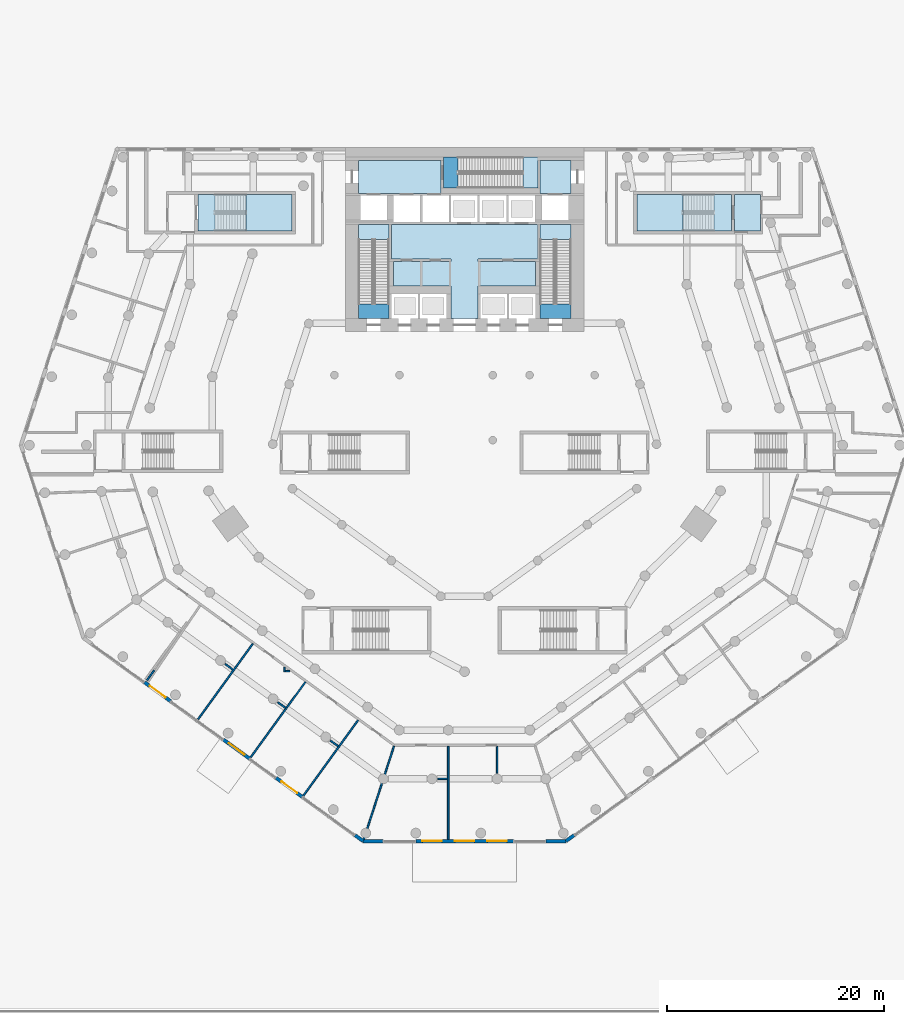
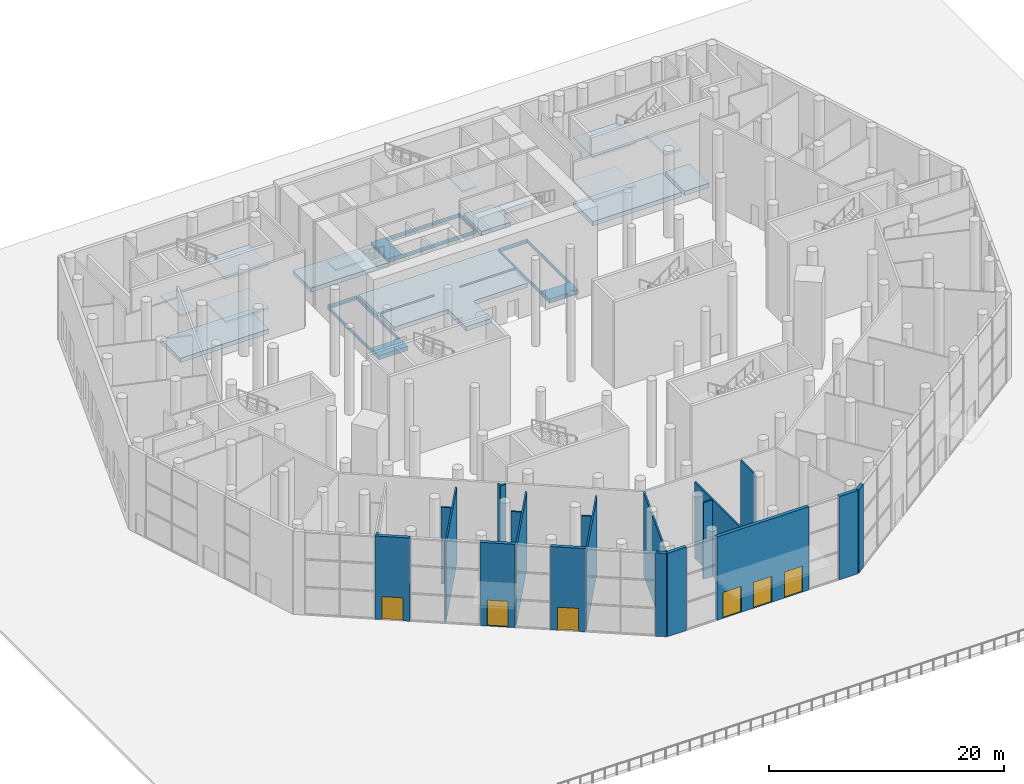
# One storey, part 9 of 25: 21 walls, 18 slabs, 6 doors, 6 openings, 5 elements without a shape of their own.
"""IFC4 building model written with IfcOpenShell, lengths in metres."""

from ifc_helpers import new_model, si_unit, direction, frame, frame_2d, origin, place, context, subcontext, project, spatial, polyline, rectangle, outline, extrude, material, layer, layer_set, type_object, element, fill, aggregate, save


model = new_model("IFC4")

# Units and contexts
model_context = context("Model", 3, precision=1e-05, world=origin(), true_north=direction((0.0, 1.0)))
body_context = subcontext(model_context, "Body", "Model", "MODEL_VIEW")
ifc_project = project(units=[si_unit("LENGTHUNIT", "METRE"), si_unit("AREAUNIT", "SQUARE_METRE"), si_unit("VOLUMEUNIT", "CUBIC_METRE"), si_unit("PLANEANGLEUNIT", "RADIAN"), si_unit("MASSUNIT", "GRAM", prefix="KILO")], contexts=[model_context])

# Site, building, storey
site_placement = place(None, origin())
site = spatial("IfcSite", under=ifc_project, at=site_placement, CompositionType="ELEMENT")
building_placement = place(site_placement, origin())
building = spatial("IfcBuilding", under=site, at=building_placement, Name="White Candle Pilgrim Tower", CompositionType="ELEMENT")
storey_placement = place(building_placement, origin())
storey = spatial("IfcBuildingStorey", under=building, at=storey_placement, Name="L00", CompositionType="ELEMENT", Elevation=0.0)

# Slabs
ifc_material_1 = material(Name="Concrete C40/50", Category="concrete")
ifc_layer_1 = layer(ifc_material_1, 0.449951171875)
ifc_layer_set_1 = layer_set([ifc_layer_1], Name="Core floor slab 450 mm Concrete C40/50")
slab_type_1 = type_object("IfcSlabType", Name="Core floor slab 450 mm Concrete C40/50", PredefinedType="FLOOR", material=ifc_layer_set_1)
slab_1_placement = place(storey_placement, frame((0.0, 0.0, -0.449951171875)))
element("IfcSlab", 1, at=slab_1_placement, inside=storey, type_object=slab_type_1, Name="CF-L00-07", PredefinedType="FLOOR", context=body_context, shape_type="SweptSolid", body=[
    extrude(outline(polyline([(60.199951171875, 80.89990234375), (63.050048828125, 80.89990234375), (63.050048828125, 77.699951171875), (63.050048828125, 77.5), (63.050048828125, 75.199951171875), (63.050048828125, 74.5), (63.050048828125, 72.199951171875), (60.199951171875, 72.199951171875), (60.199951171875, 80.89990234375)]), holes=[polyline([(60.201904296875, 80.89794921875), (60.201904296875, 73.552001953125), (63.048095703125, 73.552001953125), (63.048095703125, 80.89794921875), (60.201904296875, 80.89794921875)])]), origin(), (0.0, 0.0, 1.0), 0.449951171875),
])
slab_2_placement = place(storey_placement, frame((0.0, 0.0, -0.449951171875)))
element("IfcSlab", 2, at=slab_2_placement, inside=storey, type_object=slab_type_1, Name="CF-L00-08", PredefinedType="FLOOR", context=body_context, shape_type="SweptSolid", body=[
    extrude(outline(polyline([(60.199951171875, 86.800048828125), (67.85009765625, 86.800048828125), (67.85009765625, 84.25), (67.85009765625, 83.75), (60.199951171875, 83.75), (60.199951171875, 86.800048828125)])), origin(), (0.0, 0.0, 1.0), 0.449951171875),
])
slab_3_placement = place(storey_placement, frame((0.0, 0.0, -0.449951171875)))
element("IfcSlab", 3, at=slab_3_placement, inside=storey, type_object=slab_type_1, Name="CF-L00-09", PredefinedType="FLOOR", context=body_context, shape_type="SweptSolid", body=[
    extrude(outline(polyline([(68.050048828125, 87.10009765625), (76.75, 87.10009765625), (76.75, 86.800048828125), (76.75, 84.25), (68.050048828125, 84.25), (68.050048828125, 86.800048828125), (68.050048828125, 87.10009765625)]), holes=[polyline([(76.748046875, 87.097900390625), (69.402099609375, 87.097900390625), (69.402099609375, 84.251953125), (76.748046875, 84.251953125), (76.748046875, 87.097900390625)])]), origin(), (0.0, 0.0, 1.0), 0.449951171875),
])
slab_4_placement = place(storey_placement, frame((0.0, 0.0, -0.449951171875)))
element("IfcSlab", 4, at=slab_4_placement, inside=storey, type_object=slab_type_1, Name="CF-L00-10", PredefinedType="FLOOR", context=body_context, shape_type="SweptSolid", body=[
    extrude(outline(polyline([(79.800048828125, 86.800048828125), (79.800048828125, 83.75), (76.949951171875, 83.75), (76.949951171875, 84.25), (76.949951171875, 86.800048828125), (79.800048828125, 86.800048828125)])), origin(), (0.0, 0.0, 1.0), 0.449951171875),
])
slab_5_placement = place(storey_placement, frame((0.0, 0.0, -0.449951171875)))
element("IfcSlab", 5, at=slab_5_placement, inside=storey, type_object=slab_type_1, Name="CF-L00-11", PredefinedType="FLOOR", context=body_context, shape_type="SweptSolid", body=[
    extrude(outline(polyline([(79.800048828125, 72.199951171875), (76.949951171875, 72.199951171875), (76.949951171875, 74.5), (76.949951171875, 75.199951171875), (76.949951171875, 77.5), (76.949951171875, 77.699951171875), (76.949951171875, 80.89990234375), (79.800048828125, 80.89990234375), (79.800048828125, 72.199951171875)]), holes=[polyline([(76.951904296875, 80.89794921875), (76.951904296875, 73.552001953125), (79.798095703125, 73.552001953125), (79.798095703125, 80.89794921875), (76.951904296875, 80.89794921875)])]), origin(), (0.0, 0.0, 1.0), 0.449951171875),
])
slab_6_placement = place(storey_placement, frame((0.0, 0.0, -0.449951171875)))
element("IfcSlab", 6, at=slab_6_placement, inside=storey, type_object=slab_type_1, Name="CF-L00-12", PredefinedType="FLOOR", context=body_context, shape_type="SweptSolid", body=[
    extrude(outline(polyline([(68.75, 72.199951171875), (68.75, 74.5), (68.75, 75.199951171875), (63.449951171875, 75.199951171875), (63.449951171875, 77.5), (68.75, 77.5), (68.75, 77.699951171875), (63.25, 77.699951171875), (63.25, 80.89990234375), (76.75, 80.89990234375), (76.75, 77.699951171875), (71.25, 77.699951171875), (71.25, 77.5), (76.550048828125, 77.5), (76.550048828125, 75.199951171875), (71.25, 75.199951171875), (71.25, 74.5), (71.25, 72.199951171875), (68.75, 72.199951171875)])), origin(), (0.0, 0.0, 1.0), 0.449951171875),
])
slab_7_placement = place(storey_placement, frame((0.0, 0.0, -0.449951171875)))
element("IfcSlab", 7, at=slab_7_placement, inside=storey, type_object=slab_type_1, Name="CF-L00-14", PredefinedType="FLOOR", context=body_context, shape_type="SweptSolid", body=[
    extrude(outline(polyline([(54.10009765625, 83.64990234375), (54.10009765625, 80.300048828125), (45.39990234375, 80.300048828125), (45.39990234375, 83.64990234375), (54.10009765625, 83.64990234375)])), origin(), (0.0, 0.0, 1.0), 0.449951171875),
])
slab_8_placement = place(storey_placement, frame((0.0, 0.0, -0.449951171875)))
element("IfcSlab", 8, at=slab_8_placement, inside=storey, type_object=slab_type_1, Name="CF-L00-21", PredefinedType="FLOOR", context=body_context, shape_type="SweptSolid", body=[
    extrude(outline(polyline([(94.60009765625, 83.64990234375), (94.60009765625, 80.300048828125), (85.89990234375, 80.300048828125), (85.89990234375, 83.64990234375), (94.60009765625, 83.64990234375)])), origin(), (0.0, 0.0, 1.0), 0.449951171875),
])
slab_9_placement = place(storey_placement, frame((0.0, 0.0, -0.449951171875)))
element("IfcSlab", 9, at=slab_9_placement, inside=storey, type_object=slab_type_1, Name="CF-L00-22", PredefinedType="FLOOR", context=body_context, shape_type="SweptSolid", body=[
    extrude(outline(polyline([(97.300048828125, 83.64990234375), (97.300048828125, 83.449951171875), (97.300048828125, 83.14990234375), (97.300048828125, 81.800048828125), (97.300048828125, 81.5), (97.300048828125, 80.300048828125), (94.89990234375, 80.300048828125), (94.89990234375, 83.64990234375), (97.300048828125, 83.64990234375)])), origin(), (0.0, 0.0, 1.0), 0.449951171875),
])

# Stair, slab
stair_type_1 = type_object("IfcStairType", Name="Exit stair 1 flight width 1350 mm", PredefinedType="HALF_TURN_STAIR", material=ifc_material_1)
stair_1_placement = place(storey_placement, origin())
stair_1 = element("IfcStair", 10, at=stair_1_placement, inside=storey, type_object=stair_type_1, Name="L00 stair 1", PredefinedType="NOTDEFINED")
ifc_layer_2 = layer(ifc_material_1, 0.199951171875)
ifc_layer_set_2 = layer_set([ifc_layer_2], Name="Stair landing Concrete C40/50")
slab_type_2 = type_object("IfcSlabType", Name="Stair landing Concrete C40/50", PredefinedType="LANDING", material=ifc_layer_set_2)
slab_10_placement = place(storey_placement, frame((0.0, 0.0, 4.300048828125)))
slab_10 = element("IfcSlab", 11, at=slab_10_placement, type_object=slab_type_2, Name="ST1 landing 1", PredefinedType="LANDING", context=body_context, shape_type="SweptSolid", body=[
    extrude(outline(polyline([(63.052001953125, 79.528076171875), (60.197998046875, 79.528076171875), (60.197998046875, 80.902099609375), (63.052001953125, 80.902099609375), (63.052001953125, 79.528076171875)])), origin(), (0.0, 0.0, 1.0), 0.199951171875),
])
aggregate(stair_1, [slab_10])

stair_type_2 = type_object("IfcStairType", Name="Exit stair 2 flight width 1350 mm", PredefinedType="HALF_TURN_STAIR", material=ifc_material_1)
stair_2_placement = place(storey_placement, origin())
stair_2 = element("IfcStair", 12, at=stair_2_placement, inside=storey, type_object=stair_type_2, Name="L00 stair 2", PredefinedType="NOTDEFINED")
slab_11_placement = place(storey_placement, frame((0.0, 0.0, 4.300048828125)))
slab_11 = element("IfcSlab", 13, at=slab_11_placement, type_object=slab_type_2, Name="ST2 landing 1", PredefinedType="LANDING", context=body_context, shape_type="SweptSolid", body=[
    extrude(outline(polyline([(79.802001953125, 79.528076171875), (76.947998046875, 79.528076171875), (76.947998046875, 80.902099609375), (79.802001953125, 80.902099609375), (79.802001953125, 79.528076171875)])), origin(), (0.0, 0.0, 1.0), 0.199951171875),
])
aggregate(stair_2, [slab_11])

stair_type_3 = type_object("IfcStairType", Name="Exit stair 3 flight width 1350 mm", PredefinedType="HALF_TURN_STAIR", material=ifc_material_1)
stair_3_placement = place(storey_placement, origin())
stair_3 = element("IfcStair", 14, at=stair_3_placement, inside=storey, type_object=stair_type_3, Name="L00 stair 3", PredefinedType="NOTDEFINED")
slab_12_placement = place(storey_placement, frame((0.0, 0.0, 4.300048828125)))
slab_12 = element("IfcSlab", 15, at=slab_12_placement, type_object=slab_type_2, Name="ST3 landing 1", PredefinedType="LANDING", context=body_context, shape_type="SweptSolid", body=[
    extrude(outline(polyline([(75.3779296875, 84.248046875), (75.3779296875, 87.10205078125), (76.751953125, 87.10205078125), (76.751953125, 84.248046875), (75.3779296875, 84.248046875)])), origin(), (0.0, 0.0, 1.0), 0.199951171875),
])
aggregate(stair_3, [slab_12])

# Stair, slabs
stair_type_4 = type_object("IfcStairType", Name="Exit stair 10 flight width 1600 mm", PredefinedType="HALF_TURN_STAIR", material=ifc_material_1)
stair_4_placement = place(storey_placement, origin())
stair_4 = element("IfcStair", 16, at=stair_4_placement, inside=storey, type_object=stair_type_4, Name="L00 stair 10", PredefinedType="NOTDEFINED")
slab_13_placement = place(storey_placement, frame((0.0, 0.0, 2.050048828125)))
slab_13 = element("IfcSlab", 17, at=slab_13_placement, type_object=slab_type_2, Name="ST10 landing 1", PredefinedType="LANDING", context=body_context, shape_type="SweptSolid", body=[
    extrude(outline(polyline([(49.85791015625, 80.298095703125), (49.85791015625, 83.652099609375), (54.10205078125, 83.652099609375), (54.10205078125, 80.298095703125), (49.85791015625, 80.298095703125)])), origin(), (0.0, 0.0, 1.0), 0.199951171875),
])
slab_14_placement = place(storey_placement, frame((0.0, 0.0, 4.300048828125)))
slab_14 = element("IfcSlab", 18, at=slab_14_placement, type_object=slab_type_2, Name="ST10 landing 2", PredefinedType="LANDING", context=body_context, shape_type="SweptSolid", body=[
    extrude(outline(polyline([(45.39794921875, 80.298095703125), (45.39794921875, 83.652099609375), (47.001953125, 83.652099609375), (47.001953125, 80.298095703125), (45.39794921875, 80.298095703125)])), origin(), (0.0, 0.0, 1.0), 0.199951171875),
])
slab_15_placement = place(storey_placement, frame((0.0, 0.0, 6.550048828125)))
slab_15 = element("IfcSlab", 19, at=slab_15_placement, type_object=slab_type_2, Name="ST10 landing 3", PredefinedType="LANDING", context=body_context, shape_type="SweptSolid", body=[
    extrude(outline(polyline([(49.85791015625, 80.298095703125), (49.85791015625, 83.652099609375), (54.10205078125, 83.652099609375), (54.10205078125, 80.298095703125), (49.85791015625, 80.298095703125)])), origin(), (0.0, 0.0, 1.0), 0.199951171875),
])
aggregate(stair_4, [slab_13, slab_14, slab_15])

stair_type_5 = type_object("IfcStairType", Name="Exit stair 11 flight width 1600 mm", PredefinedType="HALF_TURN_STAIR", material=ifc_material_1)
stair_5_placement = place(storey_placement, origin())
stair_5 = element("IfcStair", 20, at=stair_5_placement, inside=storey, type_object=stair_type_5, Name="L00 stair 11", PredefinedType="NOTDEFINED")
slab_16_placement = place(storey_placement, frame((0.0, 0.0, 2.050048828125)))
slab_16 = element("IfcSlab", 21, at=slab_16_placement, type_object=slab_type_2, Name="ST11 landing 1", PredefinedType="LANDING", context=body_context, shape_type="SweptSolid", body=[
    extrude(outline(polyline([(90.14208984375, 83.652099609375), (90.14208984375, 80.298095703125), (85.89794921875, 80.298095703125), (85.89794921875, 83.652099609375), (90.14208984375, 83.652099609375)])), origin(), (0.0, 0.0, 1.0), 0.199951171875),
])
slab_17_placement = place(storey_placement, frame((0.0, 0.0, 4.300048828125)))
slab_17 = element("IfcSlab", 22, at=slab_17_placement, type_object=slab_type_2, Name="ST11 landing 2", PredefinedType="LANDING", context=body_context, shape_type="SweptSolid", body=[
    extrude(outline(polyline([(94.60205078125, 83.652099609375), (94.60205078125, 80.298095703125), (92.998046875, 80.298095703125), (92.998046875, 83.652099609375), (94.60205078125, 83.652099609375)])), origin(), (0.0, 0.0, 1.0), 0.199951171875),
])
slab_18_placement = place(storey_placement, frame((0.0, 0.0, 6.550048828125)))
slab_18 = element("IfcSlab", 23, at=slab_18_placement, type_object=slab_type_2, Name="ST11 landing 3", PredefinedType="LANDING", context=body_context, shape_type="SweptSolid", body=[
    extrude(outline(polyline([(90.14208984375, 83.652099609375), (90.14208984375, 80.298095703125), (85.89794921875, 80.298095703125), (85.89794921875, 83.652099609375), (90.14208984375, 83.652099609375)])), origin(), (0.0, 0.0, 1.0), 0.199951171875),
])
aggregate(stair_5, [slab_16, slab_17, slab_18])

# Wall, opening, door
ifc_material_2 = material(Name="Precast concrete C40/50", Category="concrete")
ifc_layer_3 = layer(ifc_material_2, 0.320068359375)
ifc_layer_set_3 = layer_set([ifc_layer_3], Name="Facade wall EW3 precast concrete C40/50 and stone-faced podium wall")
wall_type_1 = type_object("IfcWallType", Name="Facade wall EW3 precast concrete C40/50 and stone-faced podium wall", PredefinedType="SOLIDWALL", material=ifc_layer_set_3)
wall_1_placement = place(storey_placement, frame((40.47705078125, 38.6767578125, 0.0), z_axis=(0.0, 0.0, 1.0), x_axis=(0.809038637837, -0.587755461469, 0.0)))
wall_1 = element("IfcWall", 24, at=wall_1_placement, inside=storey, type_object=wall_type_1, Name="Facade wall L00 SW", PredefinedType="SOLIDWALL", context=body_context, shape_type="SweptSolid", body=[
    extrude(rectangle(XDim=2.999755859375, YDim=0.320068359375, at=frame_2d((1.5, 0.0))), origin(), (0.0, 0.0, 1.0), 8.64990234375),
])
opening_1_placement = place(wall_1_placement, frame((0.60009765625, 0.0, 0.0)))
opening_1 = element("IfcOpeningElement", 25, at=opening_1_placement, cuts=wall_1, Name="Opening L00-903", PredefinedType="OPENING", context=body_context, shape_type="SweptSolid", body=[
    extrude(rectangle(XDim=1.800048828125, YDim=2.39990234375, at=frame_2d((0.89990234375, 1.199951171875))), frame((0.0, 0.169921875, 0.0), z_axis=(0.0, -1.0, 0.0), x_axis=(1.0, 0.0, 0.0)), (0.0, 0.0, 1.0), 0.340087890625),
])
ifc_material_3 = material(Name="Timber frame with laminated glazing", Category="wood")
door_type_1 = type_object("IfcDoorType", Name="Exit door EN5 1800x2400 double leaf", OperationType="DOUBLE_DOOR_DOUBLE_SWING", PredefinedType="DOOR", material=ifc_material_3)
door_1_placement = place(opening_1_placement, origin())
door_1 = element("IfcDoor", 26, at=door_1_placement, inside=storey, type_object=door_type_1, Name="Door L00 SW 3", OperationType="DOUBLE_DOOR_DOUBLE_SWING", OverallHeight=2.39990234375, OverallWidth=1.800048828125, PredefinedType="DOOR", context=body_context, shape_type="SweptSolid", body=[
    extrude(rectangle(XDim=1.800048828125, YDim=2.39990234375, at=frame_2d((0.89990234375, 1.199951171875))), frame((0.0, 0.0400390625, 0.0), z_axis=(0.0, -1.0, 0.0), x_axis=(1.0, 0.0, 0.0)), (0.0, 0.0, 1.0), 0.050048828125),
])
fill(opening_1, door_1)

wall_2_placement = place(storey_placement, frame((47.75830078125, 33.38671875, 0.0), z_axis=(0.0, 0.0, 1.0), x_axis=(0.809038637837, -0.587755461469, 0.0)))
wall_2 = element("IfcWall", 27, at=wall_2_placement, inside=storey, type_object=wall_type_1, Name="Facade wall L00 SW", PredefinedType="SOLIDWALL", context=body_context, shape_type="SweptSolid", body=[
    extrude(rectangle(XDim=2.999755859375, YDim=0.320068359375, at=frame_2d((1.5, 0.0))), origin(), (0.0, 0.0, 1.0), 8.64990234375),
])
opening_2_placement = place(wall_2_placement, frame((0.60009765625, 0.0, 0.0)))
opening_2 = element("IfcOpeningElement", 28, at=opening_2_placement, cuts=wall_2, Name="Opening L00-904", PredefinedType="OPENING", context=body_context, shape_type="SweptSolid", body=[
    extrude(rectangle(XDim=1.800048828125, YDim=2.699951171875, at=frame_2d((0.89990234375, 1.35009765625))), frame((0.0, 0.169921875, 0.0), z_axis=(0.0, -1.0, 0.0), x_axis=(1.0, 0.0, 0.0)), (0.0, 0.0, 1.0), 0.340087890625),
])
door_type_2 = type_object("IfcDoorType", Name="Entrance door EN1 1800x2700 double leaf glazed", OperationType="DOUBLE_DOOR_DOUBLE_SWING", PredefinedType="DOOR", material=ifc_material_3)
door_2_placement = place(opening_2_placement, origin())
door_2 = element("IfcDoor", 29, at=door_2_placement, inside=storey, type_object=door_type_2, Name="Door L00 SW 6", OperationType="DOUBLE_DOOR_DOUBLE_SWING", OverallHeight=2.699951171875, OverallWidth=1.800048828125, PredefinedType="DOOR", context=body_context, shape_type="SweptSolid", body=[
    extrude(rectangle(XDim=1.800048828125, YDim=2.699951171875, at=frame_2d((0.89990234375, 1.35009765625))), frame((0.0, 0.0400390625, 0.0), z_axis=(0.0, -1.0, 0.0), x_axis=(1.0, 0.0, 0.0)), (0.0, 0.0, 1.0), 0.050048828125),
])
fill(opening_2, door_2)

wall_3_placement = place(storey_placement, frame((52.6123046875, 29.860107421875, 0.0), z_axis=(0.0, 0.0, 1.0), x_axis=(0.808999938455, -0.587808727036, 0.0)))
wall_3 = element("IfcWall", 30, at=wall_3_placement, inside=storey, type_object=wall_type_1, Name="Facade wall L00 SW", PredefinedType="SOLIDWALL", context=body_context, shape_type="SweptSolid", body=[
    extrude(rectangle(XDim=3.0, YDim=0.320068359375, at=frame_2d((1.5, 0.0))), origin(), (0.0, 0.0, 1.0), 8.64990234375),
])
opening_3_placement = place(wall_3_placement, frame((0.60009765625, 0.0, 0.0)))
opening_3 = element("IfcOpeningElement", 31, at=opening_3_placement, cuts=wall_3, Name="Opening L00-905", PredefinedType="OPENING", context=body_context, shape_type="SweptSolid", body=[
    extrude(rectangle(XDim=1.800048828125, YDim=2.39990234375, at=frame_2d((0.89990234375, 1.199951171875))), frame((0.0, 0.169921875, 0.0), z_axis=(0.0, -1.0, 0.0), x_axis=(1.0, 0.0, 0.0)), (0.0, 0.0, 1.0), 0.340087890625),
])
door_3_placement = place(opening_3_placement, origin())
door_3 = element("IfcDoor", 32, at=door_3_placement, inside=storey, type_object=door_type_1, Name="Door L00 SW 8", OperationType="DOUBLE_DOOR_DOUBLE_SWING", OverallHeight=2.39990234375, OverallWidth=1.800048828125, PredefinedType="DOOR", context=body_context, shape_type="SweptSolid", body=[
    extrude(rectangle(XDim=1.800048828125, YDim=2.39990234375, at=frame_2d((0.89990234375, 1.199951171875))), frame((0.0, 0.0400390625, 0.0), z_axis=(0.0, -1.0, 0.0), x_axis=(1.0, 0.0, 0.0)), (0.0, 0.0, 1.0), 0.050048828125),
])
fill(opening_3, door_3)

# Walls
wall_4_placement = place(storey_placement, frame((59.8935546875, 24.570068359375, 0.0), z_axis=(0.0, 0.0, 1.0), x_axis=(0.808883028491, -0.58796959634, 0.0)))
element("IfcWall", 33, at=wall_4_placement, inside=storey, type_object=wall_type_1, Name="Facade wall L00 SW", PredefinedType="SOLIDWALL", context=body_context, shape_type="SweptSolid", body=[
    extrude(rectangle(XDim=0.933837890625, YDim=0.320068359375, at=frame_2d((0.466796875, 0.0))), origin(), (0.0, 0.0, 1.0), 8.64990234375),
])
wall_5_placement = place(storey_placement, frame((60.64892578125, 24.02099609375, 0.0), z_axis=(0.0, 0.0, 1.0), x_axis=(1.0, 0.0, 0.0)))
element("IfcWall", 34, at=wall_5_placement, inside=storey, type_object=wall_type_1, Name="Facade wall L00 S chamfer", PredefinedType="SOLIDWALL", context=body_context, shape_type="SweptSolid", body=[
    extrude(rectangle(XDim=1.85107421875, YDim=0.320068359375, at=frame_2d((0.925537109375, 0.0))), origin(), (0.0, 0.0, 1.0), 8.64990234375),
])

# Wall, openings, doors
wall_6_placement = place(storey_placement, frame((65.5, 24.02099609375, 0.0), z_axis=(0.0, 0.0, 1.0), x_axis=(1.0, 0.0, 0.0)))
wall_6 = element("IfcWall", 35, at=wall_6_placement, inside=storey, type_object=wall_type_1, Name="Facade wall L00 S chamfer", PredefinedType="SOLIDWALL", context=body_context, shape_type="SweptSolid", body=[
    extrude(rectangle(XDim=9.0, YDim=0.320068359375, at=frame_2d((4.5, 0.0))), origin(), (0.0, 0.0, 1.0), 8.64990234375),
])
opening_4_placement = place(wall_6_placement, frame((0.60009765625, 0.0, 0.0)))
opening_4 = element("IfcOpeningElement", 36, at=opening_4_placement, cuts=wall_6, Name="Opening L00-906", PredefinedType="OPENING", context=body_context, shape_type="SweptSolid", body=[
    extrude(rectangle(XDim=1.800048828125, YDim=2.699951171875, at=frame_2d((0.89990234375, 1.35009765625))), frame((0.0, 0.169921875, 0.0), z_axis=(0.0, -1.0, 0.0), x_axis=(1.0, 0.0, 0.0)), (0.0, 0.0, 1.0), 0.340087890625),
])
opening_5_placement = place(wall_6_placement, frame((3.60009765625, 0.0, 0.0)))
opening_5 = element("IfcOpeningElement", 37, at=opening_5_placement, cuts=wall_6, Name="Opening L00-907", PredefinedType="OPENING", context=body_context, shape_type="SweptSolid", body=[
    extrude(rectangle(XDim=1.800048828125, YDim=2.699951171875, at=frame_2d((0.89990234375, 1.35009765625))), frame((0.0, 0.169921875, 0.0), z_axis=(0.0, -1.0, 0.0), x_axis=(1.0, 0.0, 0.0)), (0.0, 0.0, 1.0), 0.340087890625),
])
opening_6_placement = place(wall_6_placement, frame((6.60009765625, 0.0, 0.0)))
opening_6 = element("IfcOpeningElement", 38, at=opening_6_placement, cuts=wall_6, Name="Opening L00-908", PredefinedType="OPENING", context=body_context, shape_type="SweptSolid", body=[
    extrude(rectangle(XDim=1.800048828125, YDim=2.699951171875, at=frame_2d((0.89990234375, 1.35009765625))), frame((0.0, 0.169921875, 0.0), z_axis=(0.0, -1.0, 0.0), x_axis=(1.0, 0.0, 0.0)), (0.0, 0.0, 1.0), 0.340087890625),
])
door_4_placement = place(opening_4_placement, origin())
door_4 = element("IfcDoor", 39, at=door_4_placement, inside=storey, type_object=door_type_2, Name="Door L00 S chamfer 2", OperationType="DOUBLE_DOOR_DOUBLE_SWING", OverallHeight=2.699951171875, OverallWidth=1.800048828125, PredefinedType="DOOR", context=body_context, shape_type="SweptSolid", body=[
    extrude(rectangle(XDim=1.800048828125, YDim=2.699951171875, at=frame_2d((0.89990234375, 1.35009765625))), frame((0.0, 0.0400390625, 0.0), z_axis=(0.0, -1.0, 0.0), x_axis=(1.0, 0.0, 0.0)), (0.0, 0.0, 1.0), 0.050048828125),
])
fill(opening_4, door_4)
door_5_placement = place(opening_5_placement, origin())
door_5 = element("IfcDoor", 40, at=door_5_placement, inside=storey, type_object=door_type_2, Name="Door L00 S chamfer 3", OperationType="DOUBLE_DOOR_DOUBLE_SWING", OverallHeight=2.699951171875, OverallWidth=1.800048828125, PredefinedType="DOOR", context=body_context, shape_type="SweptSolid", body=[
    extrude(rectangle(XDim=1.800048828125, YDim=2.699951171875, at=frame_2d((0.89990234375, 1.35009765625))), frame((0.0, 0.0400390625, 0.0), z_axis=(0.0, -1.0, 0.0), x_axis=(1.0, 0.0, 0.0)), (0.0, 0.0, 1.0), 0.050048828125),
])
fill(opening_5, door_5)
door_6_placement = place(opening_6_placement, origin())
door_6 = element("IfcDoor", 41, at=door_6_placement, inside=storey, type_object=door_type_2, Name="Door L00 S chamfer 4", OperationType="DOUBLE_DOOR_DOUBLE_SWING", OverallHeight=2.699951171875, OverallWidth=1.800048828125, PredefinedType="DOOR", context=body_context, shape_type="SweptSolid", body=[
    extrude(rectangle(XDim=1.800048828125, YDim=2.699951171875, at=frame_2d((0.89990234375, 1.35009765625))), frame((0.0, 0.0400390625, 0.0), z_axis=(0.0, -1.0, 0.0), x_axis=(1.0, 0.0, 0.0)), (0.0, 0.0, 1.0), 0.050048828125),
])
fill(opening_6, door_6)

# Walls
wall_7_placement = place(storey_placement, frame((77.5, 24.02099609375, 0.0), z_axis=(0.0, 0.0, 1.0), x_axis=(1.0, 0.0, 0.0)))
element("IfcWall", 42, at=wall_7_placement, inside=storey, type_object=wall_type_1, Name="Facade wall L00 S chamfer", PredefinedType="SOLIDWALL", context=body_context, shape_type="SweptSolid", body=[
    extrude(rectangle(XDim=1.85107421875, YDim=0.320068359375, at=frame_2d((0.925537109375, 0.0))), origin(), (0.0, 0.0, 1.0), 8.64990234375),
])
wall_8_placement = place(storey_placement, frame((79.35107421875, 24.02099609375, 0.0), z_axis=(0.0, 0.0, 1.0), x_axis=(0.808883028491, 0.58796959634, 0.0)))
element("IfcWall", 43, at=wall_8_placement, inside=storey, type_object=wall_type_1, Name="Facade wall L00 SE", PredefinedType="SOLIDWALL", context=body_context, shape_type="SweptSolid", body=[
    extrude(rectangle(XDim=0.933837890625, YDim=0.320068359375, at=frame_2d((0.466796875, 0.0))), origin(), (0.0, 0.0, 1.0), 8.64990234375),
])
ifc_material_4 = material(Name="Gypsum board on steel studs", Category="steel")
ifc_layer_4 = layer(ifc_material_4, 0.14990234375)
ifc_layer_set_4 = layer_set([ifc_layer_4], Name="Partition 150 mm EI 60")
wall_type_2 = type_object("IfcWallType", Name="Partition 150 mm EI 60", PredefinedType="PARTITIONING", material=ifc_layer_set_4)
wall_9_placement = place(storey_placement, frame((60.700927734375, 24.18115234375, 0.0), z_axis=(0.0, 0.0, 1.0), x_axis=(0.309033564473, 0.951051132184, 0.0)))
element("IfcWall", 44, at=wall_9_placement, inside=storey, type_object=wall_type_2, Name="WL-L00-P013", PredefinedType="PARTITIONING", context=body_context, shape_type="SweptSolid", body=[
    extrude(rectangle(XDim=9.041748046875, YDim=0.14990234375, at=frame_2d((4.52099609375, 0.0))), origin(), (0.0, 0.0, 1.0), 8.64990234375),
])
wall_10_placement = place(storey_placement, frame((45.42529296875, 35.279541015625, 0.0), z_axis=(0.0, 0.0, 1.0), x_axis=(0.587784187831, 0.80901776775, 0.0)))
element("IfcWall", 45, at=wall_10_placement, inside=storey, type_object=wall_type_2, Name="WL-L00-P021", PredefinedType="PARTITIONING", context=body_context, shape_type="SweptSolid", body=[
    extrude(rectangle(XDim=8.580078125, YDim=0.14990234375, at=frame_2d((4.2900390625, 0.0))), origin(), (0.0, 0.0, 1.0), 7.949951171875),
])
for number, where, z_axis, x_axis, name in (
    (46, (50.279296875, 31.7529296875, 0.0), (0.0, 0.0, 1.0), (0.587797718958, 0.809007936665, 0.0), "WL-L00-P022"),
    (47, (55.13330078125, 28.226318359375, 0.0), (0.0, 0.0, 1.0), (0.587797718958, 0.809007936665, 0.0), "WL-L00-P023"),
    (48, (68.5, 24.18115234375, 0.0), (0.0, 0.0, 1.0), (0.0, 1.0, 0.0), "WL-L00-P024"),
):
    element("IfcWall", number, at=place(storey_placement, frame(where, z_axis=z_axis, x_axis=x_axis)), inside=storey, type_object=wall_type_2, Name=name, PredefinedType="PARTITIONING", context=body_context, shape_type="SweptSolid", body=[
        extrude(rectangle(XDim=8.579833984375, YDim=0.14990234375, at=frame_2d((4.2900390625, 0.0))), origin(), (0.0, 0.0, 1.0), 7.949951171875),
    ])
wall_11_placement = place(storey_placement, frame((47.922119140625, 40.349609375, 0.0), z_axis=(0.0, 0.0, 1.0), x_axis=(0.809010335679, -0.587794417092, 0.0)))
element("IfcWall", 49, at=wall_11_placement, inside=storey, type_object=wall_type_2, Name="WL-L00-P034", PredefinedType="PARTITIONING", context=body_context, shape_type="SweptSolid", body=[
    extrude(rectangle(XDim=0.885009765625, YDim=0.14990234375, at=frame_2d((0.4423828125, 0.0))), origin(), (0.0, 0.0, 1.0), 7.949951171875),
])
for number, where, z_axis, x_axis, name in (
    (50, (52.776123046875, 36.822509765625, 0.0), (0.0, 0.0, 1.0), (0.809046214069, -0.587745032731, 0.0), "WL-L00-P035"),
    (51, (57.630126953125, 33.29541015625, 0.0), (0.0, 0.0, 1.0), (0.809046214069, -0.587745032731, 0.0), "WL-L00-P036"),
):
    element("IfcWall", number, at=place(storey_placement, frame(where, z_axis=z_axis, x_axis=x_axis)), inside=storey, type_object=wall_type_2, Name=name, PredefinedType="PARTITIONING", context=body_context, shape_type="SweptSolid", body=[
        extrude(rectangle(XDim=0.884765625, YDim=0.14990234375, at=frame_2d((0.4423828125, 0.0))), origin(), (0.0, 0.0, 1.0), 7.949951171875),
    ])
wall_12_placement = place(storey_placement, frame((67.5400390625, 29.76318359375, 0.0), z_axis=(0.0, 0.0, 1.0), x_axis=(1.0, 0.0, 0.0)))
element("IfcWall", 52, at=wall_12_placement, inside=storey, type_object=wall_type_2, Name="WL-L00-P037", PredefinedType="PARTITIONING", context=body_context, shape_type="SweptSolid", body=[
    extrude(rectangle(XDim=0.885009765625, YDim=0.14990234375, at=frame_2d((0.4423828125, 0.0))), origin(), (0.0, 0.0, 1.0), 7.949951171875),
])
wall_13_placement = place(storey_placement, frame((72.997802734375, 30.301025390625, 0.0), z_axis=(0.0, 0.0, 1.0), x_axis=(0.0, 1.0, 0.0)))
element("IfcWall", 53, at=wall_13_placement, inside=storey, type_object=wall_type_2, Name="WL-L00-P038", PredefinedType="PARTITIONING", context=body_context, shape_type="SweptSolid", body=[
    extrude(rectangle(XDim=2.4599609375, YDim=0.14990234375, at=frame_2d((1.22998046875, 0.0))), origin(), (0.0, 0.0, 1.0), 8.64990234375),
])
wall_14_placement = place(storey_placement, frame((53.39990234375, 40.076904296875, 0.0), z_axis=(0.0, 0.0, 1.0), x_axis=(0.0, -1.0, 0.0)))
element("IfcWall", 54, at=wall_14_placement, inside=storey, type_object=wall_type_2, Name="WL-L00-P048", PredefinedType="PARTITIONING", context=body_context, shape_type="SweptSolid", body=[
    extrude(rectangle(XDim=0.43701171875, YDim=0.14990234375, at=frame_2d((0.218505859375, 0.0))), origin(), (0.0, 0.0, 1.0), 8.64990234375),
])
wall_15_placement = place(storey_placement, frame((53.340087890625, 39.699951171875, 0.0), z_axis=(0.0, 0.0, 1.0), x_axis=(1.0, 0.0, 0.0)))
element("IfcWall", 55, at=wall_15_placement, inside=storey, type_object=wall_type_2, Name="WL-L00-P049", PredefinedType="PARTITIONING", context=body_context, shape_type="SweptSolid", body=[
    extrude(rectangle(XDim=0.555908203125, YDim=0.14990234375, at=frame_2d((0.27783203125, 0.0))), origin(), (0.0, 0.0, 1.0), 8.64990234375),
])
wall_16_placement = place(storey_placement, frame((40.710693359375, 38.865478515625, 0.0), z_axis=(0.0, 0.0, 1.0), x_axis=(0.587610491864, 0.809143936424, 0.0)))
element("IfcWall", 56, at=wall_16_placement, inside=storey, type_object=wall_type_2, Name="WL-L00-P050", PredefinedType="PARTITIONING", context=body_context, shape_type="SweptSolid", body=[
    extrude(rectangle(XDim=1.138427734375, YDim=0.14990234375, at=frame_2d((0.5693359375, 0.0))), origin(), (0.0, 0.0, 1.0), 7.949951171875),
])

save(model, "model.ifc")
